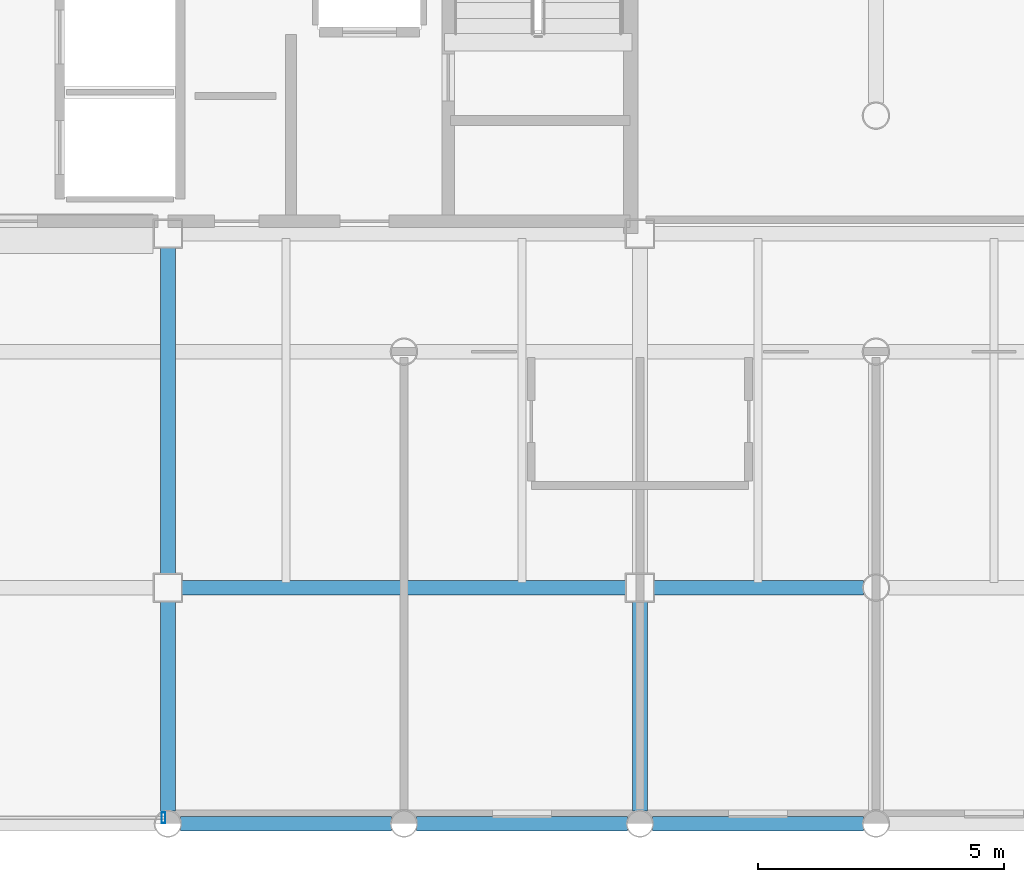
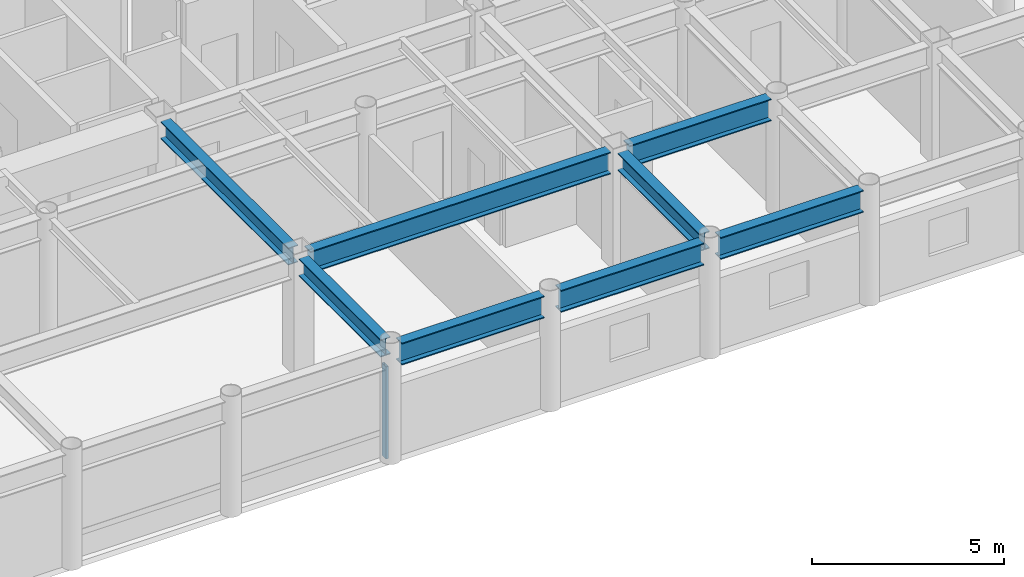
# One storey, part 8 of 22: 8 beams, 1 member, 1 element without a shape of its own.
"""IFC4 building model written with IfcOpenShell, lengths in metres."""

from ifc_helpers import new_model, si_unit, direction, frame, origin, origin_2d, place, context, subcontext, project, spatial, hollow_rectangle, i_section, extrude, material, layer, layer_set, material_profile, profile_set, type_object, element, aggregate, save


model = new_model("IFC4")

# Units and contexts
model_context = context("Model", 3, precision=1e-05, world=origin(), true_north=direction((0.0, 1.0)))
body_context = subcontext(model_context, "Body", "Model", "MODEL_VIEW")
ifc_project = project(units=[si_unit("LENGTHUNIT", "METRE"), si_unit("AREAUNIT", "SQUARE_METRE"), si_unit("VOLUMEUNIT", "CUBIC_METRE"), si_unit("PLANEANGLEUNIT", "RADIAN"), si_unit("MASSUNIT", "GRAM", prefix="KILO")], contexts=[model_context])

# Site, building, storey
site_placement = place(None, origin())
site = spatial("IfcSite", under=ifc_project, at=site_placement, CompositionType="ELEMENT")
building_placement = place(site_placement, origin())
building = spatial("IfcBuilding", under=site, at=building_placement, Name="Kallvorn Hotel Tower", CompositionType="ELEMENT")
storey_placement = place(building_placement, frame((0.0, 0.0, 230.0)))
storey = spatial("IfcBuildingStorey", under=building, at=storey_placement, Name="L57", CompositionType="ELEMENT", Elevation=230.0)

# Beams
ifc_material_1 = material(Name="Structural steel S355JR", Category="steel")
ifc_material_profile_1 = material_profile(ifc_material_1, i_section(OverallWidth=0.300048828125, OverallDepth=0.550048828125, WebThickness=0.014892578125, FlangeThickness=0.029052734375, at=origin_2d()), Name="HE 550 B")
ifc_profile_set_1 = profile_set([ifc_material_profile_1], Name="Structural steel S355JR")
beam_type_1 = type_object("IfcBeamType", Name="BM_HE550B", PredefinedType="SPANDREL", material=ifc_profile_set_1)
beam_1_placement = place(storey_placement, frame((4.800048828125, -18.945556640625, 3.39501953125), z_axis=(0.0, 1.0, 0.0), x_axis=(-1.0, 0.0, 0.0)))
element("IfcBeam", 1, at=beam_1_placement, inside=storey, type_object=beam_type_1, Name="L58 Primary Y-Girder 113", PredefinedType="SPANDREL", context=body_context, shape_type="SweptSolid", body=[
    extrude(i_section(OverallWidth=0.300048828125, OverallDepth=0.550048828125, WebThickness=0.014892578125, FlangeThickness=0.029052734375, at=origin_2d()), origin(), (0.0, 0.0, 1.0), 4.2705078125),
])
beam_2_placement = place(storey_placement, frame((4.800048828125, -14.125, 3.39501953125), z_axis=(0.0, 1.0, 0.0), x_axis=(-1.0, 0.0, 0.0)))
element("IfcBeam", 2, at=beam_2_placement, inside=storey, type_object=beam_type_1, Name="L58 Primary Y-Girder 114", PredefinedType="SPANDREL", context=body_context, shape_type="SweptSolid", body=[
    extrude(i_section(OverallWidth=0.300048828125, OverallDepth=0.550048828125, WebThickness=0.014892578125, FlangeThickness=0.029052734375, at=origin_2d()), origin(), (0.0, 0.0, 1.0), 6.64990234375),
])
beam_3_placement = place(storey_placement, frame((14.39990234375, -18.945556640625, 3.39501953125), z_axis=(0.0, 1.0, 0.0), x_axis=(-1.0, 0.0, 0.0)))
element("IfcBeam", 3, at=beam_3_placement, inside=storey, type_object=beam_type_1, Name="L58 Primary Y-Girder 121", PredefinedType="SPANDREL", context=body_context, shape_type="SweptSolid", body=[
    extrude(i_section(OverallWidth=0.300048828125, OverallDepth=0.550048828125, WebThickness=0.014892578125, FlangeThickness=0.029052734375, at=origin_2d()), origin(), (0.0, 0.0, 1.0), 4.2705078125),
])
ifc_material_2 = material(Name="Structural steel S355JR", Category="steel")
ifc_material_profile_2 = material_profile(ifc_material_2, i_section(OverallWidth=0.300048828125, OverallDepth=0.699951171875, WebThickness=0.01708984375, FlangeThickness=0.031982421875, at=origin_2d()), Name="HE 700 B")
ifc_profile_set_2 = profile_set([ifc_material_profile_2], Name="Structural steel S355JR")
beam_type_2 = type_object("IfcBeamType", Name="BM_HE700B", PredefinedType="BEAM", material=ifc_profile_set_2)
for number, where, z_axis, x_axis, name in (
    (4, (5.054443359375, -19.199951171875, 3.320068359375), (1.0, 0.0, 0.0), (0.0, 1.0, 0.0), "L58 Primary X-Girder 08"),
    (5, (9.8544921875, -19.199951171875, 3.320068359375), (1.0, 0.0, 0.0), (0.0, 1.0, 0.0), "L58 Primary X-Girder 09"),
    (6, (14.654541015625, -19.199951171875, 3.320068359375), (1.0, 0.0, 0.0), (0.0, 1.0, 0.0), "L58 Primary X-Girder 10"),
):
    element("IfcBeam", number, at=place(storey_placement, frame(where, z_axis=z_axis, x_axis=x_axis)), inside=storey, type_object=beam_type_2, Name=name, PredefinedType="BEAM", context=body_context, shape_type="SweptSolid", body=[
        extrude(i_section(OverallWidth=0.300048828125, OverallDepth=0.699951171875, WebThickness=0.01708984375, FlangeThickness=0.031982421875, at=origin_2d()), origin(), (0.0, 0.0, 1.0), 4.291015625),
    ])
beam_4_placement = place(storey_placement, frame((5.074951171875, -14.39990234375, 3.320068359375), z_axis=(1.0, 0.0, 0.0), x_axis=(0.0, 1.0, 0.0)))
element("IfcBeam", 7, at=beam_4_placement, inside=storey, type_object=beam_type_2, Name="L58 Primary X-Girder 18", PredefinedType="BEAM", context=body_context, shape_type="SweptSolid", body=[
    extrude(i_section(OverallWidth=0.300048828125, OverallDepth=0.699951171875, WebThickness=0.01708984375, FlangeThickness=0.031982421875, at=origin_2d()), origin(), (0.0, 0.0, 1.0), 9.050048828125),
])
beam_5_placement = place(storey_placement, frame((14.675048828125, -14.39990234375, 3.320068359375), z_axis=(1.0, 0.0, 0.0), x_axis=(0.0, 1.0, 0.0)))
element("IfcBeam", 8, at=beam_5_placement, inside=storey, type_object=beam_type_2, Name="L58 Primary X-Girder 19", PredefinedType="BEAM", context=body_context, shape_type="SweptSolid", body=[
    extrude(i_section(OverallWidth=0.300048828125, OverallDepth=0.699951171875, WebThickness=0.01708984375, FlangeThickness=0.031982421875, at=origin_2d()), origin(), (0.0, 0.0, 1.0), 4.2705078125),
])

# Curtain wall, member
ifc_material_3 = material(Name="Thermally broken black-anodised aluminium AA 6063-T6", Category="aluminium")
ifc_layer = layer(ifc_material_3, 0.22998046875)
ifc_layer_set = layer_set([ifc_layer], Name="CW_SYS_5_HOTEL_HIGH")
curtain_wall_type = type_object("IfcCurtainWallType", Name="CW_SYS_5_HOTEL_HIGH", PredefinedType="USERDEFINED", material=ifc_layer_set)
curtain_wall_placement = place(storey_placement, origin())
curtain_wall = element("IfcCurtainWall", 9, at=curtain_wall_placement, inside=storey, type_object=curtain_wall_type, Name="L57 Dark-Glass Curtain Wall CW-L57-SC", ObjectType="UNITISED CURTAIN WALL", PredefinedType="USERDEFINED")
ifc_material_4 = material(Name="Thermally broken black-anodised aluminium AA 6063-T6", Category="aluminium")
ifc_material_profile_3 = material_profile(ifc_material_4, hollow_rectangle(XDim=0.080078125, YDim=0.219970703125, WallThickness=0.0048828125, at=origin_2d()), Name="MUL 220x80")
ifc_profile_set_3 = profile_set([ifc_material_profile_3], Name="Thermally broken black-anodised aluminium AA 6063-T6")
member_type = type_object("IfcMemberType", Name="CW_MULLION_220x80", PredefinedType="MULLION", material=ifc_profile_set_3)
member_placement = place(storey_placement, frame((4.7099609375, -19.080078125, 0.02001953125), z_axis=(0.0, 0.0, 1.0), x_axis=(1.0, 0.0, 0.0)))
member = element("IfcMember", 10, at=member_placement, type_object=member_type, Name="CW-L57-SC Mullion 02", PredefinedType="MULLION", context=body_context, shape_type="SweptSolid", body=[
    extrude(hollow_rectangle(XDim=0.080078125, YDim=0.219970703125, WallThickness=0.0048828125, at=origin_2d()), origin(), (0.0, 0.0, 1.0), 2.929931640625),
])
aggregate(curtain_wall, [member])

save(model, "model.ifc")
